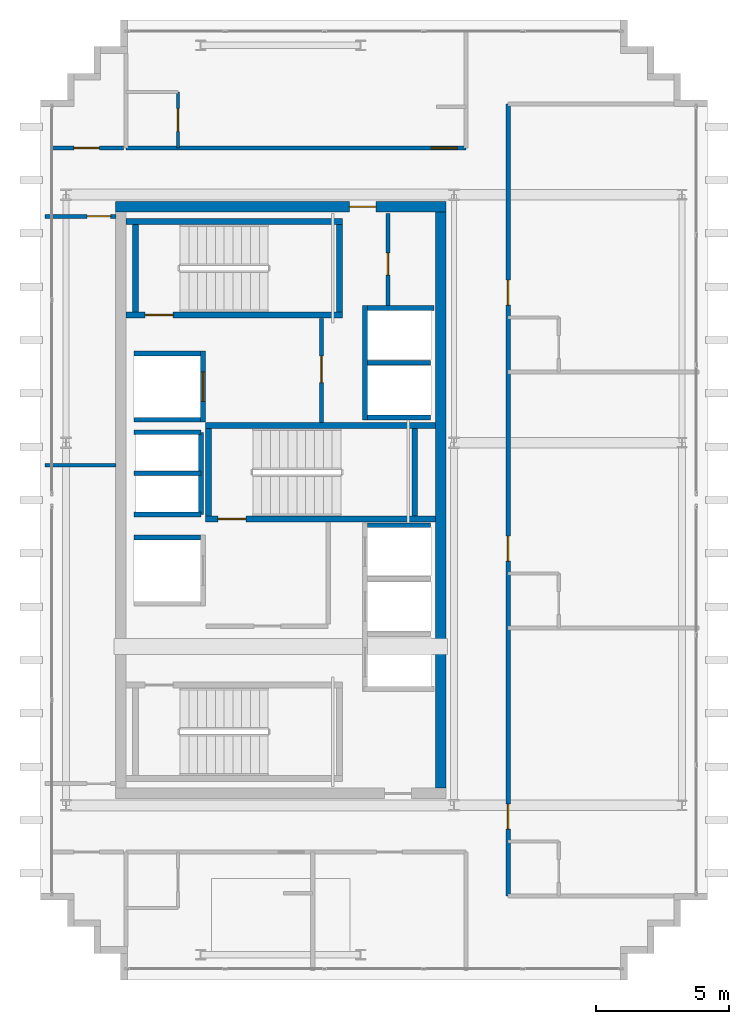
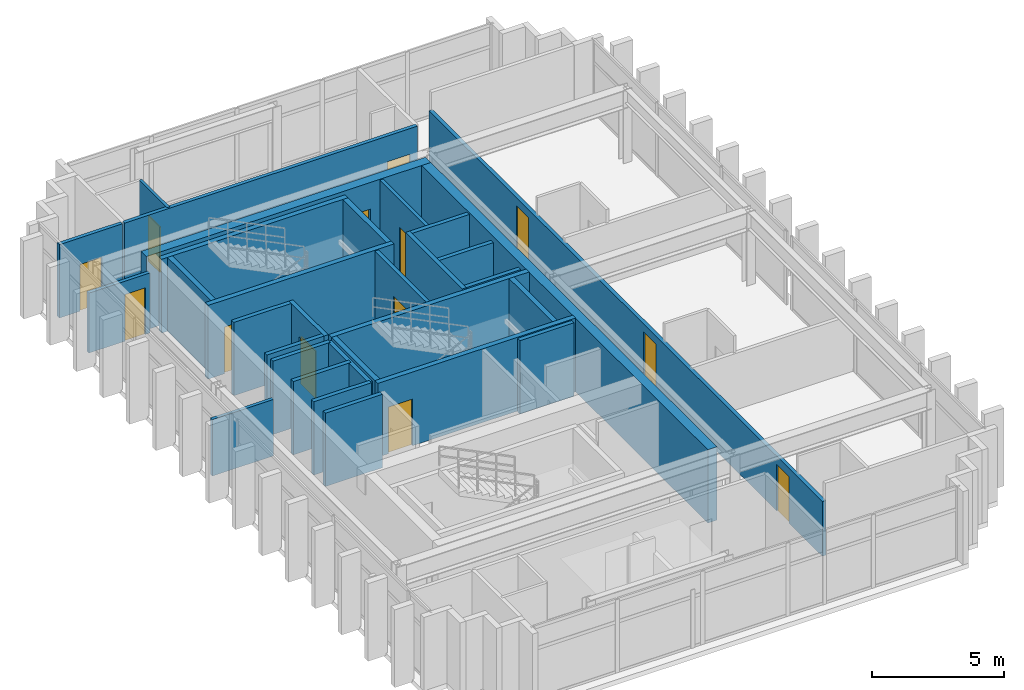
# One storey, part 13 of 15: 31 walls, 13 doors, 13 openings.
"""IFC4 building model written with IfcOpenShell, lengths in metres."""

from ifc_helpers import new_model, si_unit, direction, frame, frame_2d, origin, place, context, subcontext, project, spatial, rectangle, extrude, source, transform, mapped, material, layer, layer_set, type_object, element, fill, save


model = new_model("IFC4")

# Units and contexts
model_context = context("Model", 3, precision=1e-05, world=origin(), true_north=direction((0.0, 1.0)))
body_context = subcontext(model_context, "Body", "Model", "MODEL_VIEW")
ifc_project = project(units=[si_unit("LENGTHUNIT", "METRE"), si_unit("AREAUNIT", "SQUARE_METRE"), si_unit("VOLUMEUNIT", "CUBIC_METRE"), si_unit("PLANEANGLEUNIT", "RADIAN"), si_unit("MASSUNIT", "GRAM", prefix="KILO")], contexts=[model_context])

# Site, building, storey
site_placement = place(None, origin())
site = spatial("IfcSite", under=ifc_project, at=site_placement, CompositionType="ELEMENT")
building_placement = place(site_placement, origin())
building = spatial("IfcBuilding", under=site, at=building_placement, Name="Ocotamira Hotel", CompositionType="ELEMENT")
storey_placement = place(building_placement, frame((0.0, 0.0, 276.0)))
storey = spatial("IfcBuildingStorey", under=building, at=storey_placement, Name="L70", CompositionType="ELEMENT", Elevation=276.0)

# Wall, opening, door
ifc_material_1 = material(Name="Concrete C50/60", Category="concrete")
ifc_layer_1 = layer(ifc_material_1, 0.39990234375)
ifc_layer_set_1 = layer_set([ifc_layer_1], Name="Concrete C50/60")
wall_type_1 = type_object("IfcWallType", Name="WL-CORE-400", PredefinedType="SHEAR", material=ifc_layer_set_1)
wall_1_placement = place(storey_placement, frame((10.800048828125, 37.0, 0.0), z_axis=(0.0, 0.0, 1.0), x_axis=(1.0, 0.0, 0.0)))
wall_1 = element("IfcWall", 1, at=wall_1_placement, inside=storey, type_object=wall_type_1, Name="L70 Shear Core Wall WCORE-N", PredefinedType="SHEAR", context=body_context, shape_type="SweptSolid", body=[
    extrude(rectangle(XDim=12.39990234375, YDim=0.39990234375, at=frame_2d((6.199951171875, 0.0))), origin(), (0.0, 0.0, 1.0), 3.3798828125),
])
opening_1_placement = place(wall_1_placement, frame((8.780029296875, 0.0, 0.0)))
opening_1 = element("IfcOpeningElement", 2, at=opening_1_placement, cuts=wall_1, Name="Opening D-FR2", PredefinedType="OPENING", context=body_context, shape_type="SweptSolid", body=[
    extrude(rectangle(XDim=1.0, YDim=2.14990234375, at=frame_2d((0.5, 1.074951171875))), frame((0.0, 0.2099609375, 0.0), z_axis=(0.0, -1.0, 0.0), x_axis=(1.0, 0.0, 0.0)), (0.0, 0.0, 1.0), 0.419921875),
])
ifc_material_2 = material(Name="Fire-rated acoustic timber-veneer door", Category="wood")
door_type_1 = type_object("IfcDoorType", Name="DR-FIRE-1000", OperationType="NOTDEFINED", PredefinedType="DOOR", material=ifc_material_2)
shared_shape_1 = source(origin(), body_context, "Body", "SweptSolid", [
    extrude(rectangle(XDim=1.0, YDim=2.14990234375, at=frame_2d((0.5, 1.074951171875))), frame((0.0, 0.02490234375, 0.0), z_axis=(0.0, -1.0, 0.0), x_axis=(1.0, 0.0, 0.0)), (0.0, 0.0, 1.0), 0.050048828125),
])
door_1_placement = place(opening_1_placement, origin())
door_1 = element("IfcDoor", 3, at=door_1_placement, inside=storey, type_object=door_type_1, Name="L70 Door ID-L70-WLOB-N-D [ID-L70-WLOB-N-D]", OperationType="SINGLE_SWING_RIGHT", OverallHeight=2.14990234375, OverallWidth=1.0, PredefinedType="DOOR", context=body_context, shape_type="MappedRepresentation", body=[
    mapped(shared_shape_1, transform((0.0, 0.0, 0.0), scale=1.0)),
])
fill(opening_1, door_1)

# Wall
wall_2_placement = place(storey_placement, frame((23.0, 15.199951171875, 0.0), z_axis=(0.0, 0.0, 1.0), x_axis=(0.0, 1.0, 0.0)))
element("IfcWall", 4, at=wall_2_placement, inside=storey, type_object=wall_type_1, Name="L70 Shear Core Wall WCORE-E", PredefinedType="SHEAR", context=body_context, shape_type="SweptSolid", body=[
    extrude(rectangle(XDim=21.60009765625, YDim=0.39990234375, at=frame_2d((10.800048828125, 0.0))), origin(), (0.0, 0.0, 1.0), 3.3798828125),
])

# Wall, opening, door
ifc_material_3 = material(Name="Acoustic double-layer fire gypsum board partition", Category="gypsum")
ifc_layer_2 = layer(ifc_material_3, 0.159912109375)
ifc_layer_set_2 = layer_set([ifc_layer_2], Name="Acoustic double-layer fire gypsum board partition")
wall_type_2 = type_object("IfcWallType", Name="WL-FIRE-160", PredefinedType="PARTITIONING", material=ifc_layer_set_2)
wall_3_placement = place(storey_placement, frame((18.530029296875, 28.89990234375, 0.0), z_axis=(0.0, 0.0, 1.0), x_axis=(0.0, 1.0, 0.0)))
wall_3 = element("IfcWall", 5, at=wall_3_placement, inside=storey, type_object=wall_type_2, Name="L70 Interior Wall PW-L70-FSAE2-E", PredefinedType="PARTITIONING", context=body_context, shape_type="SweptSolid", body=[
    extrude(rectangle(XDim=3.900146484375, YDim=0.159912109375, at=frame_2d((1.9501953125, 0.0))), origin(), (0.0, 0.0, 1.0), 3.3798828125),
])
opening_2_placement = place(wall_3_placement, frame((1.5, 0.0, 0.0)))
opening_2 = element("IfcOpeningElement", 6, at=opening_2_placement, cuts=wall_3, Name="Opening D-FR2", PredefinedType="OPENING", context=body_context, shape_type="SweptSolid", body=[
    extrude(rectangle(XDim=1.0, YDim=2.14990234375, at=frame_2d((0.5, 1.074951171875))), frame((0.0, 0.08984375, 0.0), z_axis=(0.0, -1.0, 0.0), x_axis=(1.0, 0.0, 0.0)), (0.0, 0.0, 1.0), 0.179931640625),
])
door_2_placement = place(opening_2_placement, origin())
door_2 = element("IfcDoor", 7, at=door_2_placement, inside=storey, type_object=door_type_1, Name="L70 Door ID-L70-FSAE2-D [ID-L70-FSAE2-D]", OperationType="SINGLE_SWING_RIGHT", OverallHeight=2.14990234375, OverallWidth=1.0, PredefinedType="DOOR", context=body_context, shape_type="MappedRepresentation", body=[
    mapped(shared_shape_1, transform((0.0, 0.0, 0.0), scale=1.0)),
])
fill(opening_2, door_2)

wall_4_placement = place(storey_placement, frame((11.199951171875, 39.199951171875, 0.0), z_axis=(0.0, 0.0, 1.0), x_axis=(1.0, 0.0, 0.0)))
wall_4 = element("IfcWall", 8, at=wall_4_placement, inside=storey, type_object=wall_type_2, Name="L70 Interior Wall PW-L70-WP0N-CORRW", PredefinedType="PARTITIONING", context=body_context, shape_type="SweptSolid", body=[
    extrude(rectangle(XDim=12.75, YDim=0.159912109375, at=frame_2d((6.375, 0.0))), origin(), (0.0, 0.0, 1.0), 3.3798828125),
])
opening_3_placement = place(wall_4_placement, frame((11.449951171875, 0.0, 0.0)))
opening_3 = element("IfcOpeningElement", 9, at=opening_3_placement, cuts=wall_4, Name="Opening D-GR2", PredefinedType="OPENING", context=body_context, shape_type="SweptSolid", body=[
    extrude(rectangle(XDim=0.97998046875, YDim=2.199951171875, at=frame_2d((0.489990234375, 1.10009765625))), frame((0.0, 0.08984375, 0.0), z_axis=(0.0, -1.0, 0.0), x_axis=(1.0, 0.0, 0.0)), (0.0, 0.0, 1.0), 0.179931640625),
])
ifc_material_4 = material(Name="Solid-core walnut grand-suite entrance fire door", Category="wood")
door_type_2 = type_object("IfcDoorType", Name="DR-GUEST-980", OperationType="NOTDEFINED", PredefinedType="DOOR", material=ifc_material_4)
shared_shape_2 = source(origin(), body_context, "Body", "SweptSolid", [
    extrude(rectangle(XDim=0.97998046875, YDim=2.199951171875, at=frame_2d((0.489990234375, 1.10009765625))), frame((0.0, 0.02490234375, 0.0), z_axis=(0.0, -1.0, 0.0), x_axis=(1.0, 0.0, 0.0)), (0.0, 0.0, 1.0), 0.050048828125),
])
door_3_placement = place(opening_3_placement, origin())
door_3 = element("IfcDoor", 10, at=door_3_placement, inside=storey, type_object=door_type_2, Name="L70 Door ID-L70-WP0N-RMD1 [ID-L70-WP0N-RMD1]", OperationType="SINGLE_SWING_LEFT", OverallHeight=2.199951171875, OverallWidth=0.97998046875, PredefinedType="DOOR", context=body_context, shape_type="MappedRepresentation", body=[
    mapped(shared_shape_2, transform((0.0, 0.0, 0.0), scale=1.0)),
])
fill(opening_3, door_3)

# Wall, openings, doors
wall_5_placement = place(storey_placement, frame((25.530029296875, 11.14990234375, 0.0), z_axis=(0.0, 0.0, 1.0), x_axis=(0.0, 1.0, 0.0)))
wall_5 = element("IfcWall", 11, at=wall_5_placement, inside=storey, type_object=wall_type_2, Name="L70 Interior Wall PW-L70-WP-EASTW-FULL", PredefinedType="PARTITIONING", context=body_context, shape_type="SweptSolid", body=[
    extrude(rectangle(XDim=29.7001953125, YDim=0.159912109375, at=frame_2d((14.85009765625, 0.0))), origin(), (0.0, 0.0, 1.0), 2.52392578125),
])
opening_4_placement = place(wall_5_placement, frame((2.510009765625, 0.0, 0.0)))
opening_4 = element("IfcOpeningElement", 12, at=opening_4_placement, cuts=wall_5, Name="Opening D-GR1", PredefinedType="OPENING", context=body_context, shape_type="SweptSolid", body=[
    extrude(rectangle(XDim=0.93994140625, YDim=2.14990234375, at=frame_2d((0.469970703125, 1.074951171875))), frame((0.0, 0.08984375, 0.0), z_axis=(0.0, -1.0, 0.0), x_axis=(1.0, 0.0, 0.0)), (0.0, 0.0, 1.0), 0.179931640625),
])
opening_5_placement = place(wall_5_placement, frame((12.56005859375, 0.0, 0.0)))
opening_5 = element("IfcOpeningElement", 13, at=opening_5_placement, cuts=wall_5, Name="Opening D-GR1", PredefinedType="OPENING", context=body_context, shape_type="SweptSolid", body=[
    extrude(rectangle(XDim=0.93994140625, YDim=2.14990234375, at=frame_2d((0.469970703125, 1.074951171875))), frame((0.0, 0.08984375, 0.0), z_axis=(0.0, -1.0, 0.0), x_axis=(1.0, 0.0, 0.0)), (0.0, 0.0, 1.0), 0.179931640625),
])
opening_6_placement = place(wall_5_placement, frame((22.159912109375, 0.0, 0.0)))
opening_6 = element("IfcOpeningElement", 14, at=opening_6_placement, cuts=wall_5, Name="Opening D-GR1", PredefinedType="OPENING", context=body_context, shape_type="SweptSolid", body=[
    extrude(rectangle(XDim=0.93994140625, YDim=2.14990234375, at=frame_2d((0.469970703125, 1.074951171875))), frame((0.0, 0.08984375, 0.0), z_axis=(0.0, -1.0, 0.0), x_axis=(1.0, 0.0, 0.0)), (0.0, 0.0, 1.0), 0.179931640625),
])
ifc_material_5 = material(Name="Solid-core walnut suite entrance fire door", Category="wood")
door_type_3 = type_object("IfcDoorType", Name="DR-GUEST-940", OperationType="NOTDEFINED", PredefinedType="DOOR", material=ifc_material_5)
shared_shape_3 = source(origin(), body_context, "Body", "SweptSolid", [
    extrude(rectangle(XDim=0.93994140625, YDim=2.14990234375, at=frame_2d((0.469970703125, 1.074951171875))), frame((0.0, 0.02490234375, 0.0), z_axis=(0.0, -1.0, 0.0), x_axis=(1.0, 0.0, 0.0)), (0.0, 0.0, 1.0), 0.050048828125),
])
door_4_placement = place(opening_4_placement, origin())
door_4 = element("IfcDoor", 15, at=door_4_placement, inside=storey, type_object=door_type_3, Name="L70 Door ID-L70-WP-ERD1 [ID-L70-WP-ERD1]", OperationType="SINGLE_SWING_LEFT", OverallHeight=2.14990234375, OverallWidth=0.93994140625, PredefinedType="DOOR", context=body_context, shape_type="MappedRepresentation", body=[
    mapped(shared_shape_3, transform((0.0, 0.0, 0.0), scale=1.0)),
])
fill(opening_4, door_4)
door_5_placement = place(opening_5_placement, origin())
door_5 = element("IfcDoor", 16, at=door_5_placement, inside=storey, type_object=door_type_3, Name="L70 Door ID-L70-WP-ERD2 [ID-L70-WP-ERD2]", OperationType="SINGLE_SWING_RIGHT", OverallHeight=2.14990234375, OverallWidth=0.93994140625, PredefinedType="DOOR", context=body_context, shape_type="MappedRepresentation", body=[
    mapped(shared_shape_3, transform((0.0, 0.0, 0.0), scale=1.0)),
])
fill(opening_5, door_5)
door_6_placement = place(opening_6_placement, origin())
door_6 = element("IfcDoor", 17, at=door_6_placement, inside=storey, type_object=door_type_3, Name="L70 Door ID-L70-WP-ERD3 [ID-L70-WP-ERD3]", OperationType="SINGLE_SWING_LEFT", OverallHeight=2.14990234375, OverallWidth=0.93994140625, PredefinedType="DOOR", context=body_context, shape_type="MappedRepresentation", body=[
    mapped(shared_shape_3, transform((0.0, 0.0, 0.0), scale=1.0)),
])
fill(opening_6, door_6)

# Wall, opening, door
wall_6_placement = place(storey_placement, frame((8.35009765625, 39.199951171875, 0.0), z_axis=(0.0, 0.0, 1.0), x_axis=(1.0, 0.0, 0.0)))
wall_6 = element("IfcWall", 18, at=wall_6_placement, inside=storey, type_object=wall_type_2, Name="L70 Interior Wall PW-L70-WPCNW0-CW", PredefinedType="PARTITIONING", context=body_context, shape_type="SweptSolid", body=[
    extrude(rectangle(XDim=2.75, YDim=0.159912109375, at=frame_2d((1.375, 0.0))), origin(), (0.0, 0.0, 1.0), 3.3798828125),
])
opening_7_placement = place(wall_6_placement, frame((0.89501953125, 0.0, 0.0)))
opening_7 = element("IfcOpeningElement", 19, at=opening_7_placement, cuts=wall_6, Name="Opening D-SV4", PredefinedType="OPENING", context=body_context, shape_type="SweptSolid", body=[
    extrude(rectangle(XDim=0.9599609375, YDim=2.14990234375, at=frame_2d((0.47998046875, 1.074951171875))), frame((0.0, 0.08984375, 0.0), z_axis=(0.0, -1.0, 0.0), x_axis=(1.0, 0.0, 0.0)), (0.0, 0.0, 1.0), 0.179931640625),
])
ifc_material_6 = material(Name="Fire-rated accessible walnut salon door", Category="wood")
door_type_4 = type_object("IfcDoorType", Name="DR-SERV-960", OperationType="NOTDEFINED", PredefinedType="DOOR", material=ifc_material_6)
shared_shape_4 = source(origin(), body_context, "Body", "SweptSolid", [
    extrude(rectangle(XDim=0.9599609375, YDim=2.14990234375, at=frame_2d((0.47998046875, 1.074951171875))), frame((0.0, 0.02490234375, 0.0), z_axis=(0.0, -1.0, 0.0), x_axis=(1.0, 0.0, 0.0)), (0.0, 0.0, 1.0), 0.050048828125),
])
door_7_placement = place(opening_7_placement, origin())
door_7 = element("IfcDoor", 20, at=door_7_placement, inside=storey, type_object=door_type_4, Name="L70 Door ID-L70-WPCNW0-CD [ID-L70-WPCNW0-CD]", OperationType="SINGLE_SWING_LEFT", OverallHeight=2.14990234375, OverallWidth=0.9599609375, PredefinedType="DOOR", context=body_context, shape_type="MappedRepresentation", body=[
    mapped(shared_shape_4, transform((0.0, 0.0, 0.0), scale=1.0)),
])
fill(opening_7, door_7)

ifc_material_7 = material(Name="Moisture-resistant en-suite tile and gypsum partition", Category="gypsum")
ifc_layer_3 = layer(ifc_material_7, 0.1201171875)
ifc_layer_set_3 = layer_set([ifc_layer_3], Name="Moisture-resistant en-suite tile and gypsum partition")
wall_type_3 = type_object("IfcWallType", Name="WL-PART-120", PredefinedType="PARTITIONING", material=ifc_layer_set_3)
wall_7_placement = place(storey_placement, frame((13.14990234375, 39.199951171875, 0.0), z_axis=(0.0, 0.0, 1.0), x_axis=(0.0, 1.0, 0.0)))
wall_7 = element("IfcWall", 21, at=wall_7_placement, inside=storey, type_object=wall_type_3, Name="L70 Interior Wall PW-L70-WP0N-BAE1", PredefinedType="PARTITIONING", context=body_context, shape_type="SweptSolid", body=[
    extrude(rectangle(XDim=2.10009765625, YDim=0.1201171875, at=frame_2d((1.050048828125, 0.0))), origin(), (0.0, 0.0, 1.0), 3.3798828125),
])
opening_8_placement = place(wall_7_placement, frame((0.6201171875, 0.0, 0.0)))
opening_8 = element("IfcOpeningElement", 22, at=opening_8_placement, cuts=wall_7, Name="Opening D-BA1", PredefinedType="OPENING", context=body_context, shape_type="SweptSolid", body=[
    extrude(rectangle(XDim=0.860107421875, YDim=2.10009765625, at=frame_2d((0.43017578125, 1.050048828125))), frame((0.0, 0.070068359375, 0.0), z_axis=(0.0, -1.0, 0.0), x_axis=(1.0, 0.0, 0.0)), (0.0, 0.0, 1.0), 0.14013671875),
])
ifc_material_8 = material(Name="Moisture-sealed en-suite timber door", Category="wood")
door_type_5 = type_object("IfcDoorType", Name="DR-BATH-860", OperationType="NOTDEFINED", PredefinedType="DOOR", material=ifc_material_8)
shared_shape_5 = source(origin(), body_context, "Body", "SweptSolid", [
    extrude(rectangle(XDim=0.860107421875, YDim=2.10009765625, at=frame_2d((0.43017578125, 1.050048828125))), frame((0.0, 0.02490234375, 0.0), z_axis=(0.0, -1.0, 0.0), x_axis=(1.0, 0.0, 0.0)), (0.0, 0.0, 1.0), 0.050048828125),
])
door_8_placement = place(opening_8_placement, origin())
door_8 = element("IfcDoor", 23, at=door_8_placement, inside=storey, type_object=door_type_5, Name="L70 Door ID-L70-WP0N-BAD1 [ID-L70-WP0N-BAD1]", OperationType="SINGLE_SWING_RIGHT", OverallHeight=2.10009765625, OverallWidth=0.860107421875, PredefinedType="DOOR", context=body_context, shape_type="MappedRepresentation", body=[
    mapped(shared_shape_5, transform((0.0, 0.0, 0.0), scale=1.0)),
])
fill(opening_8, door_8)

ifc_material_9 = material(Name="Acoustic hospitality gypsum board partition", Category="gypsum")
ifc_layer_4 = layer(ifc_material_9, 0.14208984375)
ifc_layer_set_4 = layer_set([ifc_layer_4], Name="Acoustic hospitality gypsum board partition")
wall_type_4 = type_object("IfcWallType", Name="WL-PART-142", PredefinedType="PARTITIONING", material=ifc_layer_set_4)
wall_8_placement = place(storey_placement, frame((21.02001953125, 33.280029296875, 0.0), z_axis=(0.0, 0.0, 1.0), x_axis=(0.0, 1.0, 0.0)))
wall_8 = element("IfcWall", 24, at=wall_8_placement, inside=storey, type_object=wall_type_4, Name="L70 Interior Wall PW-L70-WC-NE-W", PredefinedType="PARTITIONING", context=body_context, shape_type="SweptSolid", body=[
    extrude(rectangle(XDim=3.469970703125, YDim=0.14208984375, at=frame_2d((1.73486328125, 0.0))), origin(), (0.0, 0.0, 1.0), 3.3798828125),
])
opening_9_placement = place(wall_8_placement, frame((1.14990234375, 0.0, 0.0)))
opening_9 = element("IfcOpeningElement", 25, at=opening_9_placement, cuts=wall_8, Name="Opening D-SV1", PredefinedType="OPENING", context=body_context, shape_type="SweptSolid", body=[
    extrude(rectangle(XDim=0.840087890625, YDim=2.10009765625, at=frame_2d((0.419921875, 1.050048828125))), frame((0.0, 0.0810546875, 0.0), z_axis=(0.0, -1.0, 0.0), x_axis=(1.0, 0.0, 0.0)), (0.0, 0.0, 1.0), 0.162109375),
])
ifc_material_10 = material(Name="Fire-rated painted steel service door", Category="steel")
door_type_6 = type_object("IfcDoorType", Name="DR-SERV-840", OperationType="NOTDEFINED", PredefinedType="DOOR", material=ifc_material_10)
shared_shape_6 = source(origin(), body_context, "Body", "SweptSolid", [
    extrude(rectangle(XDim=0.840087890625, YDim=2.10009765625, at=frame_2d((0.419921875, 1.050048828125))), frame((0.0, 0.02490234375, 0.0), z_axis=(0.0, -1.0, 0.0), x_axis=(1.0, 0.0, 0.0)), (0.0, 0.0, 1.0), 0.050048828125),
])
door_9_placement = place(opening_9_placement, origin())
door_9 = element("IfcDoor", 26, at=door_9_placement, inside=storey, type_object=door_type_6, Name="L70 Door ID-L70-WC-NE-D [ID-L70-WC-NE-D]", OperationType="SINGLE_SWING_LEFT", OverallHeight=2.10009765625, OverallWidth=0.840087890625, PredefinedType="DOOR", context=body_context, shape_type="MappedRepresentation", body=[
    mapped(shared_shape_6, transform((0.0, 0.0, 0.0), scale=1.0)),
])
fill(opening_9, door_9)

# Wall
wall_9_placement = place(storey_placement, frame((8.159912109375, 27.300048828125, 0.0), z_axis=(0.0, 0.0, 1.0), x_axis=(1.0, 0.0, 0.0)))
element("IfcWall", 27, at=wall_9_placement, inside=storey, type_object=wall_type_4, Name="L70 Interior Wall PW-L70-WP0W-DV1", PredefinedType="PARTITIONING", context=body_context, shape_type="SweptSolid", body=[
    extrude(rectangle(XDim=2.66015625, YDim=0.14208984375, at=frame_2d((1.330078125, 0.0))), origin(), (0.0, 0.0, 1.0), 2.60107421875),
])

# Wall, opening, door
ifc_layer_5 = layer(ifc_material_9, 0.14990234375)
ifc_layer_set_5 = layer_set([ifc_layer_5], Name="Acoustic hospitality gypsum board partition")
wall_type_5 = type_object("IfcWallType", Name="WL-PART-150", PredefinedType="PARTITIONING", material=ifc_layer_set_5)
wall_10_placement = place(storey_placement, frame((8.159912109375, 36.639892578125, 0.0), z_axis=(0.0, 0.0, 1.0), x_axis=(1.0, 0.0, 0.0)))
wall_10 = element("IfcWall", 28, at=wall_10_placement, inside=storey, type_object=wall_type_5, Name="L70 Interior Wall PW-L70-WP0W-WN", PredefinedType="PARTITIONING", context=body_context, shape_type="SweptSolid", body=[
    extrude(rectangle(XDim=2.66015625, YDim=0.14990234375, at=frame_2d((1.330078125, 0.0))), origin(), (0.0, 0.0, 1.0), 2.762939453125),
])
opening_10_placement = place(wall_10_placement, frame((1.580078125, 0.0, 0.0)))
opening_10 = element("IfcOpeningElement", 29, at=opening_10_placement, cuts=wall_10, Name="Opening D-SV2", PredefinedType="OPENING", context=body_context, shape_type="SweptSolid", body=[
    extrude(rectangle(XDim=0.8798828125, YDim=2.14990234375, at=frame_2d((0.43994140625, 1.074951171875))), frame((0.0, 0.0849609375, 0.0), z_axis=(0.0, -1.0, 0.0), x_axis=(1.0, 0.0, 0.0)), (0.0, 0.0, 1.0), 0.169921875),
])
door_type_7 = type_object("IfcDoorType", Name="DR-SERV-880", OperationType="NOTDEFINED", PredefinedType="DOOR", material=ifc_material_10)
shared_shape_7 = source(origin(), body_context, "Body", "SweptSolid", [
    extrude(rectangle(XDim=0.8798828125, YDim=2.14990234375, at=frame_2d((0.43994140625, 1.074951171875))), frame((0.0, 0.02490234375, 0.0), z_axis=(0.0, -1.0, 0.0), x_axis=(1.0, 0.0, 0.0)), (0.0, 0.0, 1.0), 0.050048828125),
])
door_10_placement = place(opening_10_placement, origin())
door_10 = element("IfcDoor", 30, at=door_10_placement, inside=storey, type_object=door_type_7, Name="L70 Door ID-L70-WP0W-DN [ID-L70-WP0W-DN]", OperationType="SINGLE_SWING_RIGHT", OverallHeight=2.14990234375, OverallWidth=0.8798828125, PredefinedType="DOOR", context=body_context, shape_type="MappedRepresentation", body=[
    mapped(shared_shape_7, transform((0.0, 0.0, 0.0), scale=1.0)),
])
fill(opening_10, door_10)

# Walls
ifc_material_11 = material(Name="Fire-rated gypsum shaftliner board assembly", Category="gypsum")
ifc_layer_6 = layer(ifc_material_11, 0.179931640625)
ifc_layer_set_6 = layer_set([ifc_layer_6], Name="Fire-rated gypsum shaftliner board assembly")
wall_type_6 = type_object("IfcWallType", Name="WL-SHAFT-180", PredefinedType="SOLIDWALL", material=ifc_layer_set_6)
wall_11_placement = place(storey_placement, frame((20.25, 25.050048828125, 0.0), z_axis=(0.0, 0.0, 1.0), x_axis=(1.0, 0.0, 0.0)))
element("IfcWall", 31, at=wall_11_placement, inside=storey, type_object=wall_type_6, Name="L70 Interior Wall PW-L70-LFW-BANK-high-N", PredefinedType="SOLIDWALL", context=body_context, shape_type="SweptSolid", body=[
    extrude(rectangle(XDim=2.360107421875, YDim=0.179931640625, at=frame_2d((1.18017578125, 0.0))), origin(), (0.0, 0.0, 1.0), 3.3798828125),
])
wall_12_placement = place(storey_placement, frame((20.159912109375, 29.0, 0.0), z_axis=(0.0, 0.0, 1.0), x_axis=(0.0, 1.0, 0.0)))
element("IfcWall", 32, at=wall_12_placement, inside=storey, type_object=wall_type_6, Name="L70 Interior Wall PW-L70-LFW-BANK-obs-F", PredefinedType="SOLIDWALL", context=body_context, shape_type="SweptSolid", body=[
    extrude(rectangle(XDim=4.2900390625, YDim=0.179931640625, at=frame_2d((2.14501953125, 0.0))), origin(), (0.0, 0.0, 1.0), 3.3798828125),
])
wall_13_placement = place(storey_placement, frame((20.25, 29.090087890625, 0.0), z_axis=(0.0, 0.0, 1.0), x_axis=(1.0, 0.0, 0.0)))
element("IfcWall", 33, at=wall_13_placement, inside=storey, type_object=wall_type_6, Name="L70 Interior Wall PW-L70-LFW-BANK-obs-S", PredefinedType="SOLIDWALL", context=body_context, shape_type="SweptSolid", body=[
    extrude(rectangle(XDim=2.360107421875, YDim=0.179931640625, at=frame_2d((1.18017578125, 0.0))), origin(), (0.0, 0.0, 1.0), 3.3798828125),
])
wall_14_placement = place(storey_placement, frame((20.25, 33.199951171875, 0.0), z_axis=(0.0, 0.0, 1.0), x_axis=(1.0, 0.0, 0.0)))
element("IfcWall", 34, at=wall_14_placement, inside=storey, type_object=wall_type_6, Name="L70 Interior Wall PW-L70-LFW-BANK-obs-N", PredefinedType="SOLIDWALL", context=body_context, shape_type="SweptSolid", body=[
    extrude(rectangle(XDim=2.5, YDim=0.179931640625, at=frame_2d((1.25, 0.0))), origin(), (0.0, 0.0, 1.0), 3.3798828125),
])
wall_15_placement = place(storey_placement, frame((20.25, 31.14501953125, 0.0), z_axis=(0.0, 0.0, 1.0), x_axis=(1.0, 0.0, 0.0)))
element("IfcWall", 35, at=wall_15_placement, inside=storey, type_object=wall_type_6, Name="L70 Interior Wall PW-L70-LFW-DIV-LF-OBS1", PredefinedType="SOLIDWALL", context=body_context, shape_type="SweptSolid", body=[
    extrude(rectangle(XDim=2.360107421875, YDim=0.179931640625, at=frame_2d((1.18017578125, 0.0))), origin(), (0.0, 0.0, 1.0), 3.3798828125),
])
for number, where, z_axis, x_axis, name in (
    (36, (11.5, 24.590087890625, 0.0), (0.0, 0.0, 1.0), (1.0, 0.0, 0.0), "L70 Interior Wall PW-L70-LFW-LF-FSAE1-N"),
    (37, (11.5, 29.010009765625, 0.0), (0.0, 0.0, 1.0), (1.0, 0.0, 0.0), "L70 Interior Wall PW-L70-LFW-LF-FSAE2-S"),
    (38, (11.5, 31.489990234375, 0.0), (0.0, 0.0, 1.0), (1.0, 0.0, 0.0), "L70 Interior Wall PW-L70-LFW-LF-FSAE2-N"),
):
    element("IfcWall", number, at=place(storey_placement, frame(where, z_axis=z_axis, x_axis=x_axis)), inside=storey, type_object=wall_type_6, Name=name, PredefinedType="SOLIDWALL", context=body_context, shape_type="SweptSolid", body=[
        extrude(rectangle(XDim=2.5, YDim=0.179931640625, at=frame_2d((1.25, 0.0))), origin(), (0.0, 0.0, 1.0), 3.3798828125),
    ])

# Wall, opening, door
wall_16_placement = place(storey_placement, frame((14.090087890625, 28.919921875, 0.0), z_axis=(0.0, 0.0, 1.0), x_axis=(0.0, 1.0, 0.0)))
wall_16 = element("IfcWall", 39, at=wall_16_placement, inside=storey, type_object=wall_type_6, Name="L70 Interior Wall PW-L70-LFW-LF-FSAE2-E", PredefinedType="SOLIDWALL", context=body_context, shape_type="SweptSolid", body=[
    extrude(rectangle(XDim=2.66015625, YDim=0.179931640625, at=frame_2d((1.330078125, 0.0))), origin(), (0.0, 0.0, 1.0), 3.3798828125),
])
opening_11_placement = place(wall_16_placement, frame((0.780029296875, 0.0, 0.0)))
opening_11 = element("IfcOpeningElement", 40, at=opening_11_placement, cuts=wall_16, Name="Opening LD-LF-FSAE2", PredefinedType="OPENING", context=body_context, shape_type="SweptSolid", body=[
    extrude(rectangle(XDim=1.10009765625, YDim=2.199951171875, at=frame_2d((0.550048828125, 1.10009765625))), frame((0.0, 0.10009765625, 0.0), z_axis=(0.0, -1.0, 0.0), x_axis=(1.0, 0.0, 0.0)), (0.0, 0.0, 1.0), 0.199951171875),
])
ifc_material_12 = material(Name="Brushed pale-metal stainless elevator landing door", Category="steel")
door_type_8 = type_object("IfcDoorType", Name="DR-LIFT-1100", OperationType="NOTDEFINED", PredefinedType="DOOR", material=ifc_material_12)
shared_shape_8 = source(origin(), body_context, "Body", "SweptSolid", [
    extrude(rectangle(XDim=1.10009765625, YDim=2.199951171875, at=frame_2d((0.550048828125, 1.10009765625))), frame((0.0, 0.02490234375, 0.0), z_axis=(0.0, -1.0, 0.0), x_axis=(1.0, 0.0, 0.0)), (0.0, 0.0, 1.0), 0.050048828125),
])
door_11_placement = place(opening_11_placement, origin())
door_11 = element("IfcDoor", 41, at=door_11_placement, inside=storey, type_object=door_type_8, Name="L70 Landing Door LD-LF-FSAE2 [ID-L70-LD-LF-FSAE2]", OperationType="DOUBLE_DOOR_SLIDING", OverallHeight=2.199951171875, OverallWidth=1.10009765625, PredefinedType="DOOR", context=body_context, shape_type="MappedRepresentation", body=[
    mapped(shared_shape_8, transform((0.0, 0.0, 0.0), scale=1.0)),
])
fill(opening_11, door_11)

# Walls
for number, where, z_axis, x_axis, name in (
    (42, (11.5, 25.4599609375, 0.0), (0.0, 0.0, 1.0), (1.0, 0.0, 0.0), "L70 Interior Wall PW-L70-RSW-S"),
    (43, (11.5, 27.0, 0.0), (0.0, 0.0, 1.0), (1.0, 0.0, 0.0), "L70 Interior Wall PW-L70-RSW-MID"),
    (44, (11.5, 28.5400390625, 0.0), (0.0, 0.0, 1.0), (1.0, 0.0, 0.0), "L70 Interior Wall PW-L70-RSW-N"),
):
    element("IfcWall", number, at=place(storey_placement, frame(where, z_axis=z_axis, x_axis=x_axis)), inside=storey, type_object=wall_type_6, Name=name, PredefinedType="SOLIDWALL", context=body_context, shape_type="SweptSolid", body=[
        extrude(rectangle(XDim=2.510009765625, YDim=0.179931640625, at=frame_2d((1.2548828125, 0.0))), origin(), (0.0, 0.0, 1.0), 3.3798828125),
    ])
wall_17_placement = place(storey_placement, frame((14.010009765625, 25.4599609375, 0.0), z_axis=(0.0, 0.0, 1.0), x_axis=(0.0, 1.0, 0.0)))
element("IfcWall", 45, at=wall_17_placement, inside=storey, type_object=wall_type_6, Name="L70 Interior Wall PW-L70-RSW-E", PredefinedType="SOLIDWALL", context=body_context, shape_type="SweptSolid", body=[
    extrude(rectangle(XDim=3.080078125, YDim=0.179931640625, at=frame_2d((1.5400390625, 0.0))), origin(), (0.0, 0.0, 1.0), 3.3798828125),
])

# Wall, opening, door
ifc_layer_7 = layer(ifc_material_1, 0.219970703125)
ifc_layer_set_7 = layer_set([ifc_layer_7], Name="Concrete C50/60")
wall_type_7 = type_object("IfcWallType", Name="WL-STAIR-220", PredefinedType="SHEAR", material=ifc_layer_set_7)
wall_18_placement = place(storey_placement, frame((11.199951171875, 32.93994140625, 0.0), z_axis=(0.0, 0.0, 1.0), x_axis=(1.0, 0.0, 0.0)))
wall_18 = element("IfcWall", 46, at=wall_18_placement, inside=storey, type_object=wall_type_7, Name="L70 Stair Shaft Structural Wall ST-2-S", PredefinedType="SHEAR", context=body_context, shape_type="SweptSolid", body=[
    extrude(rectangle(XDim=8.110107421875, YDim=0.219970703125, at=frame_2d((4.05517578125, 0.0))), origin(), (0.0, 0.0, 1.0), 3.39990234375),
])
opening_12_placement = place(wall_18_placement, frame((0.719970703125, 0.0, 0.0)))
opening_12 = element("IfcOpeningElement", 47, at=opening_12_placement, cuts=wall_18, Name="Opening D-ST2", PredefinedType="OPENING", context=body_context, shape_type="SweptSolid", body=[
    extrude(rectangle(XDim=1.050048828125, YDim=2.14990234375, at=frame_2d((0.52490234375, 1.074951171875))), frame((0.0, 0.1201171875, 0.0), z_axis=(0.0, -1.0, 0.0), x_axis=(1.0, 0.0, 0.0)), (0.0, 0.0, 1.0), 0.239990234375),
])
ifc_material_13 = material(Name="Insulated painted hollow-metal fire exit door", Category="steel")
door_type_9 = type_object("IfcDoorType", Name="DR-STAIR-1050", OperationType="NOTDEFINED", PredefinedType="DOOR", material=ifc_material_13)
shared_shape_9 = source(origin(), body_context, "Body", "SweptSolid", [
    extrude(rectangle(XDim=1.050048828125, YDim=2.14990234375, at=frame_2d((0.52490234375, 1.074951171875))), frame((0.0, 0.02490234375, 0.0), z_axis=(0.0, -1.0, 0.0), x_axis=(1.0, 0.0, 0.0)), (0.0, 0.0, 1.0), 0.050048828125),
])
door_12_placement = place(opening_12_placement, origin())
door_12 = element("IfcDoor", 48, at=door_12_placement, inside=storey, type_object=door_type_9, Name="L70 Door ID-L70-STD-ST-2 [ID-L70-STD-ST-2]", OperationType="SINGLE_SWING_RIGHT", OverallHeight=2.14990234375, OverallWidth=1.050048828125, PredefinedType="DOOR", context=body_context, shape_type="MappedRepresentation", body=[
    mapped(shared_shape_9, transform((0.0, 0.0, 0.0), scale=1.0)),
])
fill(opening_12, door_12)

# Walls
wall_19_placement = place(storey_placement, frame((11.199951171875, 36.43994140625, 0.0), z_axis=(0.0, 0.0, 1.0), x_axis=(1.0, 0.0, 0.0)))
element("IfcWall", 49, at=wall_19_placement, inside=storey, type_object=wall_type_7, Name="L70 Stair Shaft Structural Wall ST-2-N", PredefinedType="SHEAR", context=body_context, shape_type="SweptSolid", body=[
    extrude(rectangle(XDim=8.110107421875, YDim=0.219970703125, at=frame_2d((4.05517578125, 0.0))), origin(), (0.0, 0.0, 1.0), 3.39990234375),
])
for number, where, z_axis, x_axis, name in (
    (50, (11.56005859375, 33.050048828125, 0.0), (0.0, 0.0, 1.0), (0.0, 1.0, 0.0), "L70 Stair Shaft Structural Wall ST-2-W"),
    (51, (19.199951171875, 33.050048828125, 0.0), (0.0, 0.0, 1.0), (0.0, 1.0, 0.0), "L70 Stair Shaft Structural Wall ST-2-E"),
):
    element("IfcWall", number, at=place(storey_placement, frame(where, z_axis=z_axis, x_axis=x_axis)), inside=storey, type_object=wall_type_7, Name=name, PredefinedType="SHEAR", context=body_context, shape_type="SweptSolid", body=[
        extrude(rectangle(XDim=3.280029296875, YDim=0.219970703125, at=frame_2d((1.64013671875, 0.0))), origin(), (0.0, 0.0, 1.0), 3.39990234375),
    ])

# Wall, opening, door
wall_20_placement = place(storey_placement, frame((14.179931640625, 25.2900390625, 0.0), z_axis=(0.0, 0.0, 1.0), x_axis=(1.0, 0.0, 0.0)))
wall_20 = element("IfcWall", 52, at=wall_20_placement, inside=storey, type_object=wall_type_7, Name="L70 Stair Shaft Structural Wall ST-3-S", PredefinedType="SHEAR", context=body_context, shape_type="SweptSolid", body=[
    extrude(rectangle(XDim=8.6201171875, YDim=0.219970703125, at=frame_2d((4.31005859375, 0.0))), origin(), (0.0, 0.0, 1.0), 3.39990234375),
])
opening_13_placement = place(wall_20_placement, frame((0.469970703125, 0.0, 0.0)))
opening_13 = element("IfcOpeningElement", 53, at=opening_13_placement, cuts=wall_20, Name="Opening D-ST2", PredefinedType="OPENING", context=body_context, shape_type="SweptSolid", body=[
    extrude(rectangle(XDim=1.050048828125, YDim=2.14990234375, at=frame_2d((0.52490234375, 1.074951171875))), frame((0.0, 0.1201171875, 0.0), z_axis=(0.0, -1.0, 0.0), x_axis=(1.0, 0.0, 0.0)), (0.0, 0.0, 1.0), 0.239990234375),
])
door_13_placement = place(opening_13_placement, origin())
door_13 = element("IfcDoor", 54, at=door_13_placement, inside=storey, type_object=door_type_9, Name="L70 Door ID-L70-STD-ST-3 [ID-L70-STD-ST-3]", OperationType="SINGLE_SWING_LEFT", OverallHeight=2.14990234375, OverallWidth=1.050048828125, PredefinedType="DOOR", context=body_context, shape_type="MappedRepresentation", body=[
    mapped(shared_shape_9, transform((0.0, 0.0, 0.0), scale=1.0)),
])
fill(opening_13, door_13)

# Walls
wall_21_placement = place(storey_placement, frame((14.179931640625, 28.7900390625, 0.0), z_axis=(0.0, 0.0, 1.0), x_axis=(1.0, 0.0, 0.0)))
element("IfcWall", 55, at=wall_21_placement, inside=storey, type_object=wall_type_7, Name="L70 Stair Shaft Structural Wall ST-3-N", PredefinedType="SHEAR", context=body_context, shape_type="SweptSolid", body=[
    extrude(rectangle(XDim=8.6201171875, YDim=0.219970703125, at=frame_2d((4.31005859375, 0.0))), origin(), (0.0, 0.0, 1.0), 3.39990234375),
])
for number, where, z_axis, x_axis, name in (
    (56, (14.2900390625, 25.39990234375, 0.0), (0.0, 0.0, 1.0), (0.0, 1.0, 0.0), "L70 Stair Shaft Structural Wall ST-3-W"),
    (57, (22.030029296875, 25.39990234375, 0.0), (0.0, 0.0, 1.0), (0.0, 1.0, 0.0), "L70 Stair Shaft Structural Wall ST-3-E"),
):
    element("IfcWall", number, at=place(storey_placement, frame(where, z_axis=z_axis, x_axis=x_axis)), inside=storey, type_object=wall_type_7, Name=name, PredefinedType="SHEAR", context=body_context, shape_type="SweptSolid", body=[
        extrude(rectangle(XDim=3.280029296875, YDim=0.219970703125, at=frame_2d((1.64013671875, 0.0))), origin(), (0.0, 0.0, 1.0), 3.39990234375),
    ])

save(model, "model.ifc")
